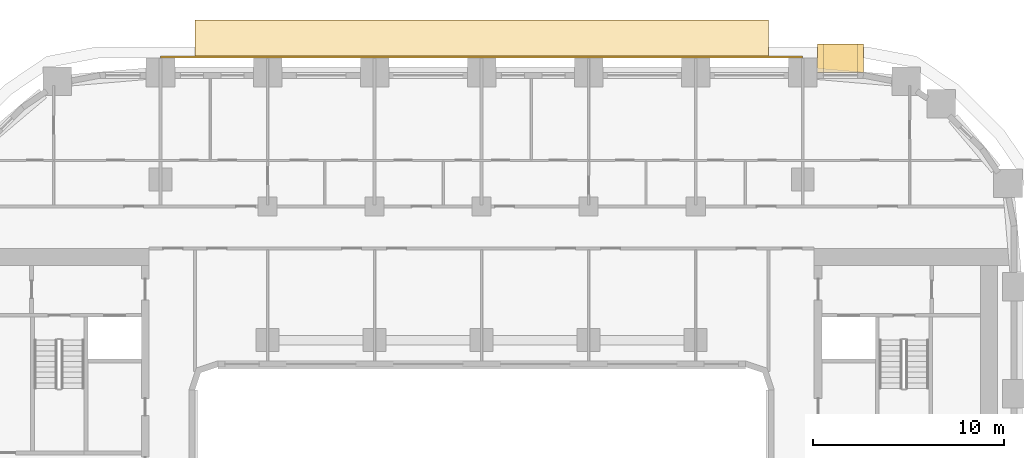
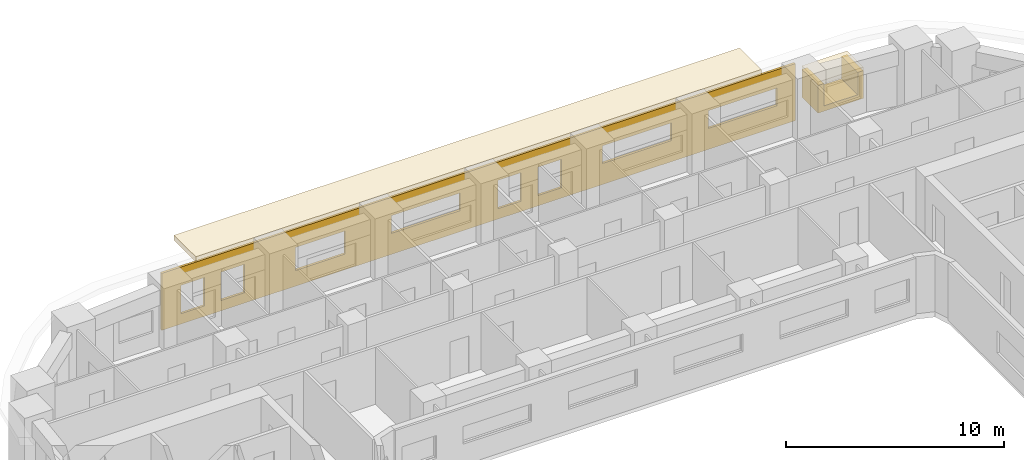
# One storey, part 19 of 20: 4 coverings.
"""IFC4 building model written with IfcOpenShell, lengths in metres."""

import ifcopenshell
import ifcopenshell.guid

model = None  # the IFC model being written
_history = None  # IfcOwnerHistory: only IFC2X3 demands one
_inside = {}  # id of a spatial element -> (the spatial element, [elements in it])
_under = {}  # id of a project, library or spatial element -> (it, [spatial elements below it])
_declared = {}  # id of a project -> (the project, [libraries it declares])
_typed = {}  # id of a type object -> (the type object, [elements of that type])
_made_of = {}  # id of a material, layer set ... -> (it, [elements and type objects made of it])


def new_model(schema):
    """Start an empty IFC model of exactly this schema.

    Asked for "IFC4X3", IfcOpenShell would pick the latest addendum, in which some entities
    have other attributes; the version numbers below select the first issue.
    IFC2X3 requires an IfcOwnerHistory on every rooted entity: one is made here for all.
    """
    global model, _history
    if schema == "IFC4X3":
        model = ifcopenshell.file(schema_version=(4, 3, 0, 0))
    else:
        model = ifcopenshell.file(schema=schema)
    _inside.clear()
    _under.clear()
    _declared.clear()
    _typed.clear()
    _made_of.clear()
    _history = None
    if model.schema == "IFC2X3":
        org = make("IfcOrganization", Name="unknown")
        user = make(
            "IfcPersonAndOrganization",
            ThePerson=make("IfcPerson", FamilyName="unknown"),
            TheOrganization=org,
        )
        app = make(
            "IfcApplication",
            ApplicationDeveloper=org,
            Version="unknown",
            ApplicationFullName="unknown",
            ApplicationIdentifier="unknown",
        )
        _history = make(
            "IfcOwnerHistory",
            OwningUser=user,
            OwningApplication=app,
            ChangeAction="ADDED",
            CreationDate=0,
        )
    return model


def make(cls, **values):
    """One entity of the class cls with the attributes given. An attribute that is None is left unset."""
    return model.create_entity(
        cls, **{name: value for name, value in values.items() if value is not None}
    )


def rooted(cls, **values):
    """An entity with a GlobalId (a new one), such as an element, a storey or a relation."""
    return make(cls, GlobalId=ifcopenshell.guid.new(), OwnerHistory=_history, **values)


def si_unit(unit_type, name, prefix=None):
    """IfcSIUnit, for example si_unit("LENGTHUNIT", "METRE", prefix="MILLI")."""
    return make("IfcSIUnit", UnitType=unit_type, Prefix=prefix, Name=name)


def assignment(units):
    """IfcUnitAssignment: the units of a project."""
    return None if units is None else make("IfcUnitAssignment", Units=units)


def point(xyz):
    """IfcCartesianPoint."""
    return None if xyz is None else make("IfcCartesianPoint", Coordinates=xyz)


def direction(xyz):
    """IfcDirection."""
    return None if xyz is None else make("IfcDirection", DirectionRatios=xyz)


def frame(location, z_axis=None, x_axis=None):
    """IfcAxis2Placement3D, a coordinate frame: its origin and axes. An axis left out is left unset."""
    return make(
        "IfcAxis2Placement3D",
        Location=point(location),
        Axis=direction(z_axis),
        RefDirection=direction(x_axis),
    )


def frame_2d(location, x_axis=None):
    """IfcAxis2Placement2D, a coordinate frame in the plane: its origin and x axis."""
    return make(
        "IfcAxis2Placement2D", Location=point(location), RefDirection=direction(x_axis)
    )


def origin():
    """The frame at (0, 0, 0) with its axes left unset."""
    return frame((0.0, 0.0, 0.0))


def origin_2d():
    """The frame at (0, 0) in the plane with its x axis left unset."""
    return frame_2d((0.0, 0.0))


def place(relative_to, where):
    """IfcLocalPlacement: puts the frame where relative to a parent placement (None: the world)."""
    return make(
        "IfcLocalPlacement", PlacementRelTo=relative_to, RelativePlacement=where
    )


def context(
    kind, dimensions, precision=None, world=None, true_north=None, identifier=None
):
    """IfcGeometricRepresentationContext, for example the 3D "Model" context."""
    return make(
        "IfcGeometricRepresentationContext",
        ContextIdentifier=identifier,
        ContextType=kind,
        CoordinateSpaceDimension=dimensions,
        Precision=precision,
        WorldCoordinateSystem=world,
        TrueNorth=true_north,
    )


def subcontext(parent, identifier, kind, view, scale=None):
    """IfcGeometricRepresentationSubContext, for example "Body" below "Model"."""
    return make(
        "IfcGeometricRepresentationSubContext",
        ContextIdentifier=identifier,
        ContextType=kind,
        ParentContext=parent,
        TargetScale=scale,
        TargetView=view,
    )


def project(units=None, contexts=None):
    """IfcProject with its units and contexts."""
    return rooted(
        "IfcProject",
        Name="project",
        RepresentationContexts=contexts,
        UnitsInContext=assignment(units),
    )


def spatial(cls, under=None, at=None, **own):
    """A site, building, storey or space (cls), placed at a placement, below another one or the project."""
    s = rooted(cls, ObjectPlacement=at, **own)
    if under is not None:
        _under.setdefault(under.id(), (under, []))[1].append(s)
    return s


def polyline(points):
    """IfcPolyline through the points."""
    return make("IfcPolyline", Points=[point(p) for p in points])


def profile(cls, at=None, kind="AREA", **sizes):
    """A parametric profile (cls). Its sizes go by their IFC names, for example OverallWidth=200.0."""
    return make(cls, ProfileType=kind, Position=at, **sizes)


def rectangle(**sizes):
    """IfcRectangleProfileDef."""
    return profile("IfcRectangleProfileDef", **sizes)


def outline(outer, holes=None, kind="AREA"):
    """IfcArbitraryClosedProfileDef: a profile drawn as a closed curve; with holes, ...WithVoids."""
    if holes is None:
        return make("IfcArbitraryClosedProfileDef", ProfileType=kind, OuterCurve=outer)
    return make(
        "IfcArbitraryProfileDefWithVoids",
        ProfileType=kind,
        OuterCurve=outer,
        InnerCurves=holes,
    )


def extrude(swept, where, along, depth):
    """IfcExtrudedAreaSolid: the profile swept, set in the frame where, extruded along a direction by depth."""
    return make(
        "IfcExtrudedAreaSolid",
        SweptArea=swept,
        Position=where,
        ExtrudedDirection=direction(along),
        Depth=depth,
    )


def shape(context_of_items, identifier, shape_type, items):
    """IfcShapeRepresentation: the items that make up one representation, for example the "Body"."""
    return make(
        "IfcShapeRepresentation",
        ContextOfItems=context_of_items,
        RepresentationIdentifier=identifier,
        RepresentationType=shape_type,
        Items=items,
    )


def material(Name=None, Category=None):
    """IfcMaterial."""
    return make("IfcMaterial", Name=Name, Category=Category)


def layer(
    of_material, thickness, ventilated=None, Name=None, Category=None, Priority=None
):
    """IfcMaterialLayer: one layer of a wall or slab, of a material (None: an air gap)."""
    return make(
        "IfcMaterialLayer",
        Material=of_material,
        LayerThickness=thickness,
        IsVentilated=ventilated,
        Name=Name,
        Category=Category,
        Priority=Priority,
    )


def layer_set(layers, Name=None):
    """IfcMaterialLayerSet."""
    return make("IfcMaterialLayerSet", MaterialLayers=layers, LayerSetName=Name)


def made_of(thing, what):
    """Note that an element or type object is made of a material, layer set ...; save() writes the relation."""
    if what is not None:
        _made_of.setdefault(what.id(), (what, []))[1].append(thing)
    return thing


def type_object(cls, material=None, **own):
    """A type object (cls), such as IfcWallType, which elements share."""
    return made_of(rooted(cls, **own), material)


def element(
    cls,
    number,
    at=None,
    inside=None,
    cuts=None,
    type_object=None,
    material=None,
    context=None,
    identifier="Body",
    shape_type=None,
    held_by="IfcProductDefinitionShape",
    body=None,
    shapes=None,
    **own,
):
    """One element of the class cls, such as IfcWall. Its Tag is "e" and its number.

    at: its placement. inside: the storey or other place that contains it. cuts: it is an
    opening in that element (IfcRelVoidsElement). A single representation is given by context,
    identifier, shape_type and body (its items); several are given by shapes. held_by: the class
    of the entity that holds the representations. save() writes the other relations.
    """
    e = rooted(cls, Tag="e%d" % number, ObjectPlacement=at, **own)
    if body is not None:
        shapes = [shape(context, identifier, shape_type, body)]
    if shapes is not None:
        e.Representation = make(held_by, Representations=shapes)
    if inside is not None:
        _inside.setdefault(inside.id(), (inside, []))[1].append(e)
    if cuts is not None:
        rooted(
            "IfcRelVoidsElement", RelatingBuildingElement=cuts, RelatedOpeningElement=e
        )
    if type_object is not None:
        _typed.setdefault(type_object.id(), (type_object, []))[1].append(e)
    return made_of(e, material)


def aggregate(whole, parts):
    """IfcRelAggregates: a whole, such as a stair, and the parts it consists of."""
    return rooted("IfcRelAggregates", RelatingObject=whole, RelatedObjects=parts)


def save(model, path):
    """Write the relations noted so far, then the file.

    IfcRelAggregates (storeys below a building ...), IfcRelContainedInSpatialStructure (elements
    in a storey), IfcRelDefinesByType, IfcRelAssociatesMaterial and IfcRelDeclares: one each for
    every whole, place, type object, material and project.
    """
    for whole, parts in _under.values():
        aggregate(whole, parts)
    for where, things in _inside.values():
        rooted(
            "IfcRelContainedInSpatialStructure",
            RelatedElements=things,
            RelatingStructure=where,
        )
    for kind, things in _typed.values():
        rooted("IfcRelDefinesByType", RelatedObjects=things, RelatingType=kind)
    for what, things in _made_of.values():
        rooted("IfcRelAssociatesMaterial", RelatedObjects=things, RelatingMaterial=what)
    for by, libraries in _declared.values():
        rooted("IfcRelDeclares", RelatingContext=by, RelatedDefinitions=libraries)
    model.write(path)


model = new_model("IFC4")

# Units and contexts
model_context = context("Model", 3, precision=1e-05, world=origin(), true_north=direction((0.0, 1.0)))
body_context = subcontext(model_context, "Body", "Model", "MODEL_VIEW")
ifc_project = project(units=[si_unit("LENGTHUNIT", "METRE"), si_unit("AREAUNIT", "SQUARE_METRE"), si_unit("VOLUMEUNIT", "CUBIC_METRE"), si_unit("PLANEANGLEUNIT", "RADIAN"), si_unit("MASSUNIT", "GRAM", prefix="KILO")], contexts=[model_context])

# Site, building, storey
site_placement = place(None, origin())
site = spatial("IfcSite", under=ifc_project, at=site_placement, CompositionType="ELEMENT")
building_placement = place(site_placement, origin())
building = spatial("IfcBuilding", under=site, at=building_placement, Name="Kiln Ring Residences", CompositionType="ELEMENT")
storey_placement = place(building_placement, frame((0.0, 0.0, 37.5)))
storey = spatial("IfcBuildingStorey", under=building, at=storey_placement, Name="L08", CompositionType="ELEMENT", Elevation=37.5)

# Coverings
ifc_material_1 = material(Name="Brick masonry, dark clay brick", Category="masonry")
ifc_layer_1 = layer(ifc_material_1, 0.300048828125)
ifc_layer_set_1 = layer_set([ifc_layer_1], Name="FRAME CHEEKS AND SILL 1500")
covering_type_1 = type_object("IfcCoveringType", Name="FRAME CHEEKS AND SILL 1500", PredefinedType="CLADDING", material=ifc_layer_set_1)
covering_1_placement = place(storey_placement, frame((19.97509765625, 23.14990234375, 0.60009765625), z_axis=(0.0, 0.0, 1.0), x_axis=(-1.0, 0.0, 0.0)))
element("IfcCovering", 1, at=covering_1_placement, inside=storey, type_object=covering_type_1, Name="FRAME L08", PredefinedType="CLADDING", context=body_context, shape_type="SweptSolid", body=[
    extrude(outline(polyline([(0.0, 0.0), (2.400146484375, 0.0), (2.39990234375, 1.5498046875), (2.10107421875, 1.5498046875), (2.10009765625, 0.2998046875), (0.300048828125, 0.2998046875), (0.299072265625, 1.5498046875), (0.0, 1.5498046875), (0.0, 0.0)])), frame((0.0, 0.75, 0.0), z_axis=(0.0, -1.0, 0.0), x_axis=(1.0, 0.0, 0.0)), (0.0, 0.0, 1.0), 1.5),
])
ifc_material_2 = material(Name="Brick masonry, dark clay brick", Category="masonry")
ifc_layer_2 = layer(ifc_material_2, 0.199951171875)
ifc_layer_set_2 = layer_set([ifc_layer_2], Name="FRAME HEAD 1500")
covering_type_2 = type_object("IfcCoveringType", Name="FRAME HEAD 1500", PredefinedType="CLADDING", material=ifc_layer_set_2)
covering_2_placement = place(storey_placement, frame((18.77490234375, 23.14990234375, 2.14990234375), z_axis=(0.0, 0.0, 1.0), x_axis=(-1.0, 0.0, 0.0)))
element("IfcCovering", 2, at=covering_2_placement, inside=storey, type_object=covering_type_2, Name="FRAME HEAD L08", PredefinedType="CLADDING", context=body_context, shape_type="SweptSolid", body=[
    extrude(rectangle(XDim=2.39990234375, YDim=1.5, at=origin_2d()), origin(), (0.0, 0.0, 1.0), 0.199951171875),
])
ifc_material_3 = material(Name="Brick masonry, dark clay brick", Category="masonry")
ifc_layer_3 = layer(ifc_material_3, 0.1201171875)
ifc_layer_set_3 = layer_set([ifc_layer_3], Name="RAINSCREEN PANEL 120")
covering_type_3 = type_object("IfcCoveringType", Name="RAINSCREEN PANEL 120", PredefinedType="CLADDING", material=ifc_layer_set_3)
covering_3_placement = place(storey_placement, frame((16.800048828125, 23.2099609375, 0.0), z_axis=(0.0, 0.0, 1.0), x_axis=(-1.0, 0.0, 0.0)))
element("IfcCovering", 3, at=covering_3_placement, inside=storey, type_object=covering_type_3, Name="RAINSCREEN L08", PredefinedType="CLADDING", context=body_context, shape_type="SweptSolid", body=[
    extrude(outline(polyline([(0.0, 0.0), (33.60009765625, 0.0), (33.60009765625, 3.199951171875), (0.0, 3.199951171875), (0.0, 0.0)]), holes=[polyline([(12.41748046875, 0.580078125), (13.657470703125, 0.580078125), (13.657470703125, 2.169921875), (12.41748046875, 2.169921875), (12.41748046875, 0.580078125)]), polyline([(14.54248046875, 0.580078125), (15.782470703125, 0.580078125), (15.782470703125, 2.169921875), (14.54248046875, 2.169921875), (14.54248046875, 0.580078125)]), polyline([(29.217529296875, 0.580078125), (30.45751953125, 0.580078125), (30.45751953125, 2.169921875), (29.217529296875, 2.169921875), (29.217529296875, 0.580078125)]), polyline([(31.342529296875, 0.580078125), (32.58251953125, 0.580078125), (32.58251953125, 2.169921875), (31.342529296875, 2.169921875), (31.342529296875, 0.580078125)]), polyline([(23.8798828125, 0.8798828125), (26.52001953125, 0.8798828125), (26.52001953125, 2.169921875), (23.8798828125, 2.169921875), (23.8798828125, 0.8798828125)]), polyline([(0.97998046875, 1.179931640625), (4.6201171875, 1.179931640625), (4.6201171875, 2.169921875), (0.97998046875, 2.169921875), (0.97998046875, 1.179931640625)]), polyline([(6.580078125, 1.179931640625), (10.219970703125, 1.179931640625), (10.219970703125, 2.169921875), (6.580078125, 2.169921875), (6.580078125, 1.179931640625)]), polyline([(17.780029296875, 1.179931640625), (21.419921875, 1.179931640625), (21.419921875, 2.169921875), (17.780029296875, 2.169921875), (17.780029296875, 1.179931640625)])]), frame((0.0, 0.06005859375, 0.0), z_axis=(0.0, -1.0, 0.0), x_axis=(1.0, 0.0, 0.0)), (0.0, 0.0, 1.0), 0.1201171875),
])
ifc_material_4 = material(Name="Black powder-coated steel", Category="steel")
ifc_layer_4 = layer(ifc_material_4, 0.300048828125)
ifc_layer_set_4 = layer_set([ifc_layer_4], Name="SUNSHADE BAND 2000")
covering_type_4 = type_object("IfcCoveringType", Name="SUNSHADE BAND 2000", PredefinedType="CLADDING", material=ifc_layer_set_4)
covering_4_placement = place(storey_placement, frame((0.0, 0.0, 3.199951171875)))
element("IfcCovering", 4, at=covering_4_placement, inside=storey, type_object=covering_type_4, Name="SUNSHADE BAND L08", PredefinedType="CLADDING", context=body_context, shape_type="SweptSolid", body=[
    extrude(outline(polyline([(15.0, 25.14990234375), (-15.0, 25.14990234375), (-15.0, 23.14990234375), (15.0, 23.14990234375), (15.0, 25.14990234375)])), origin(), (0.0, 0.0, 1.0), 0.300048828125),
])

save(model, "model.ifc")
